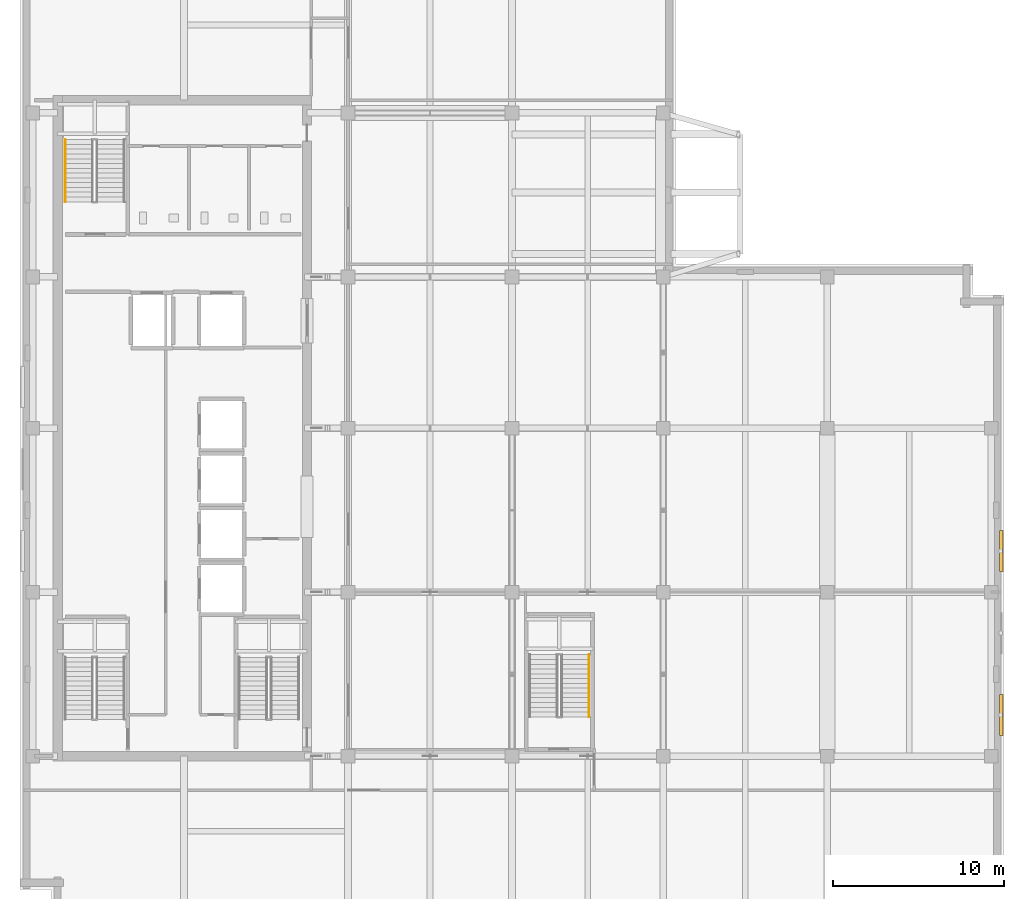
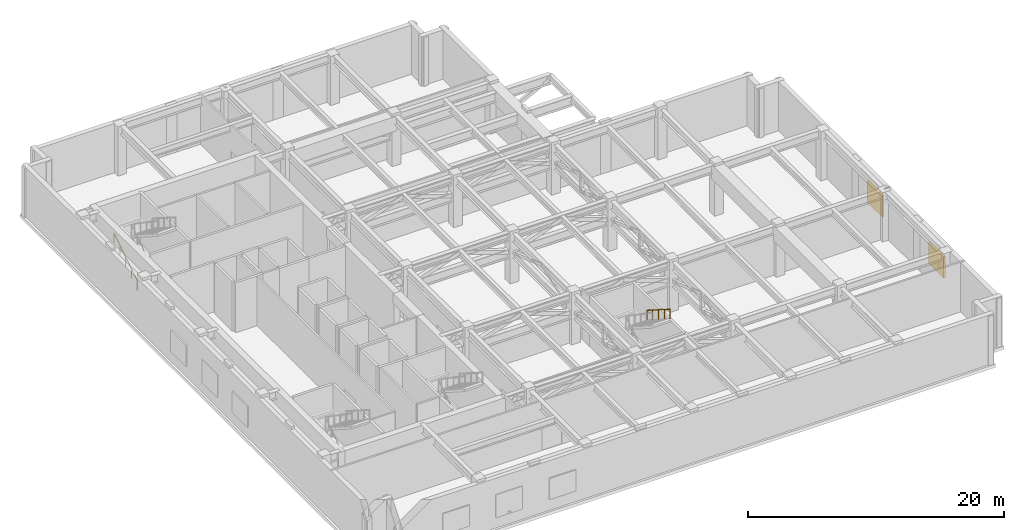
# One storey, part 17 of 19: 2 railings, 2 shading devices.
"""IFC4 building model written with IfcOpenShell, lengths in metres."""

from ifc_helpers import new_model, si_unit, direction, frame, origin, origin_2d, place, context, subcontext, project, spatial, rectangle, circle, extrude, material, layer, layer_set, type_object, element, save


model = new_model("IFC4")

# Units and contexts
model_context = context("Model", 3, precision=1e-05, world=origin(), true_north=direction((0.0, 1.0)))
body_context = subcontext(model_context, "Body", "Model", "MODEL_VIEW")
ifc_project = project(units=[si_unit("LENGTHUNIT", "METRE"), si_unit("AREAUNIT", "SQUARE_METRE"), si_unit("VOLUMEUNIT", "CUBIC_METRE"), si_unit("PLANEANGLEUNIT", "RADIAN"), si_unit("MASSUNIT", "GRAM", prefix="KILO")], contexts=[model_context])

# Site, building, storey
site_placement = place(None, origin())
site = spatial("IfcSite", under=ifc_project, at=site_placement, CompositionType="ELEMENT")
building_placement = place(site_placement, origin())
building = spatial("IfcBuilding", under=site, at=building_placement, Name="Norrvale University Quadrangle", CompositionType="ELEMENT")
storey_placement = place(building_placement, frame((0.0, 0.0, 256.0)))
storey = spatial("IfcBuildingStorey", under=building, at=storey_placement, Name="L65", CompositionType="ELEMENT", Elevation=256.0)

# Railings
ifc_material_1 = material(Name="Stainless Steel 316L Handrail", Category="steel")
railing_type = type_object("IfcRailingType", Name="Railing Stair Handrail 920", PredefinedType="HANDRAIL", material=ifc_material_1)
railing_1_placement = place(storey_placement, frame((2.639892578125, 42.050048828125, 0.1787109375)))
element("IfcRailing", 1, at=railing_1_placement, inside=storey, type_object=railing_type, Name="Stair Lower Flight Handrail ST-02 L65", PredefinedType="HANDRAIL", context=body_context, shape_type="SweptSolid", body=[
    extrude(circle(Radius=0.02392578125, at=origin_2d()), frame((0.0, 0.0, 0.89599609375), z_axis=(0.0, 0.843137146238, 0.537698570422), x_axis=(-1.0, 0.0, 0.0)), (0.0, 0.0, 1.0), 4.317138671875),
    extrude(circle(Radius=0.02099609375, at=origin_2d()), origin(), (0.0, 0.0, 1.0), 0.871826171875),
    extrude(circle(Radius=0.02099609375, at=origin_2d()), frame((0.0, 0.909912109375, 0.580322265625)), (0.0, 0.0, 1.0), 0.871826171875),
    extrude(circle(Radius=0.02099609375, at=origin_2d()), frame((0.0, 1.81982421875, 1.16064453125)), (0.0, 0.0, 1.0), 0.871826171875),
    extrude(circle(Radius=0.02099609375, at=origin_2d()), frame((0.0, 2.72998046875, 1.740966796875)), (0.0, 0.0, 1.0), 0.871826171875),
    extrude(circle(Radius=0.02099609375, at=origin_2d()), frame((0.0, 3.639892578125, 2.3212890625)), (0.0, 0.0, 1.0), 0.871826171875),
])
railing_2_placement = place(storey_placement, frame((33.31005859375, 15.5400390625, 2.6787109375)))
element("IfcRailing", 2, at=railing_2_placement, inside=storey, type_object=railing_type, Name="Stair Upper Flight Handrail ST-04 L65", PredefinedType="HANDRAIL", context=body_context, shape_type="SweptSolid", body=[
    extrude(circle(Radius=0.02392578125, at=origin_2d()), frame((0.0, 0.0, 0.89599609375), z_axis=(0.0, -0.843153495434, 0.537672933239), x_axis=(1.0, 0.0, 0.0)), (0.0, 0.0, 1.0), 4.3173828125),
    extrude(circle(Radius=0.02099609375, at=origin_2d()), origin(), (0.0, 0.0, 1.0), 0.871826171875),
    extrude(circle(Radius=0.02099609375, at=origin_2d()), frame((0.0, -0.91015625, 0.580322265625)), (0.0, 0.0, 1.0), 0.871826171875),
    extrude(circle(Radius=0.02099609375, at=origin_2d()), frame((0.0, -1.820068359375, 1.16064453125)), (0.0, 0.0, 1.0), 0.871826171875),
    extrude(circle(Radius=0.02099609375, at=origin_2d()), frame((0.0, -2.72998046875, 1.740966796875)), (0.0, 0.0, 1.0), 0.871826171875),
    extrude(circle(Radius=0.02099609375, at=origin_2d()), frame((0.0, -3.64013671875, 2.3212890625)), (0.0, 0.0, 1.0), 0.871826171875),
])

# Shading devices
ifc_material_2 = material(Name="Anodized Aluminium 6063-T6", Category="aluminium")
ifc_layer = layer(ifc_material_2, 0.179931640625, Name="Anodized Aluminium 6063-T6")
ifc_layer_set = layer_set([ifc_layer], Name="Anodized Aluminium 6063-T6")
shading_device_type = type_object("IfcShadingDeviceType", Name="Shade Louvre 180", PredefinedType="JALOUSIE", material=ifc_layer_set)
for number, where, z_axis, x_axis, name in (
    (3, (57.43994140625, 12.0, 1.10009765625), (0.0, 0.0, 1.0), (0.0, 1.0, 0.0), "Plant Intake Weather Louvre 017"),
    (4, (57.43994140625, 21.60009765625, 1.10009765625), (0.0, 0.0, 1.0), (0.0, 1.0, 0.0), "Plant Intake Weather Louvre 018"),
):
    element("IfcShadingDevice", number, at=place(storey_placement, frame(where, z_axis=z_axis, x_axis=x_axis)), inside=storey, type_object=shading_device_type, Name=name, PredefinedType="JALOUSIE", context=body_context, shape_type="SweptSolid", body=[
        extrude(rectangle(XDim=2.39990234375, YDim=0.179931640625, at=origin_2d()), origin(), (0.0, 0.0, 1.0), 2.0),
    ])

save(model, "model.ifc")
